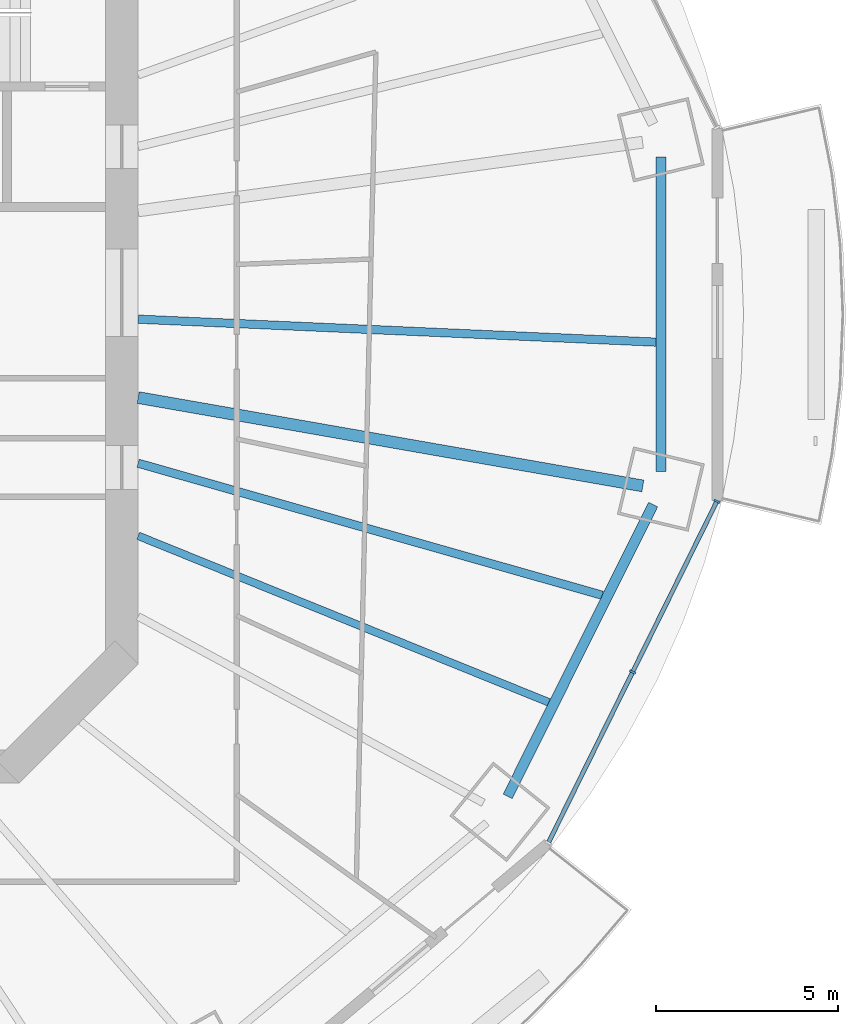
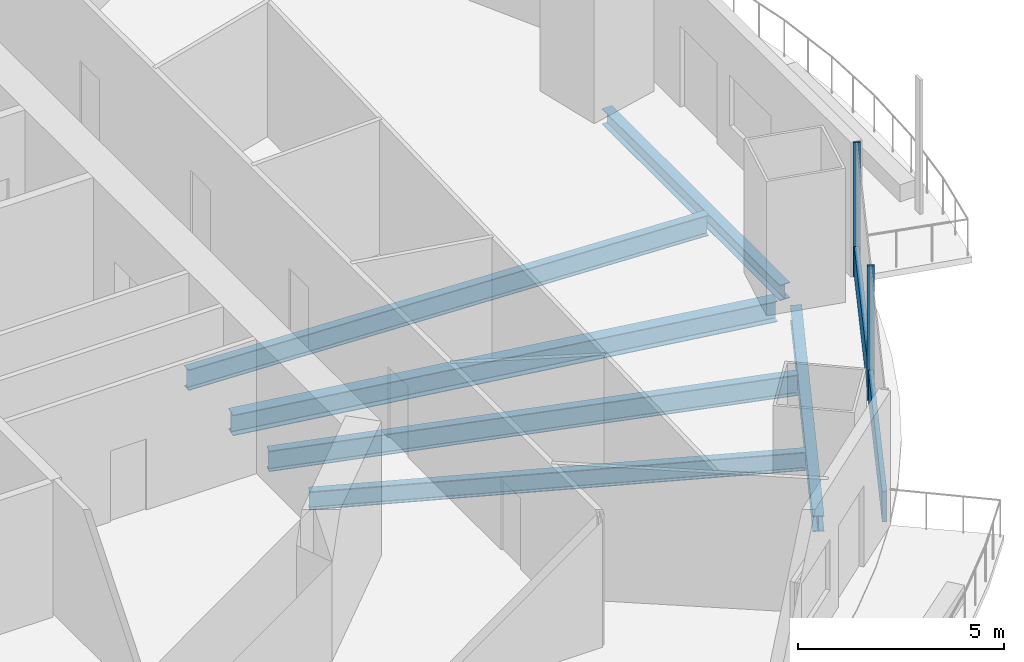
# One storey, part 5 of 20: 6 beams, 3 members, 1 element without a shape of its own.
"""IFC4 building model written with IfcOpenShell, lengths in metres."""

from ifc_helpers import new_model, si_unit, direction, frame, origin, origin_2d, place, context, subcontext, project, spatial, rectangle, i_section, extrude, material, material_profile, profile_set, type_object, element, aggregate, save


model = new_model("IFC4")

# Units and contexts
model_context = context("Model", 3, precision=1e-05, world=origin(), true_north=direction((0.0, 1.0)))
body_context = subcontext(model_context, "Body", "Model", "MODEL_VIEW")
ifc_project = project(units=[si_unit("LENGTHUNIT", "METRE"), si_unit("AREAUNIT", "SQUARE_METRE"), si_unit("VOLUMEUNIT", "CUBIC_METRE"), si_unit("PLANEANGLEUNIT", "RADIAN"), si_unit("MASSUNIT", "GRAM", prefix="KILO")], contexts=[model_context])

# Site, building, storey
site_placement = place(None, origin())
site = spatial("IfcSite", under=ifc_project, at=site_placement, CompositionType="ELEMENT")
building_placement = place(site_placement, origin())
building = spatial("IfcBuilding", under=site, at=building_placement, Name="Marenthal Gate Tower", CompositionType="ELEMENT")
storey_placement = place(building_placement, frame((0.0, 0.0, 219.14990234375)))
storey = spatial("IfcBuildingStorey", under=building, at=storey_placement, Name="L48", CompositionType="ELEMENT", Elevation=219.14990234375)

# Curtain wall, members
ifc_material_1 = material(Name="Aluminium and glass", Category="aluminium")
curtain_wall_type = type_object("IfcCurtainWallType", Name="Curtain wall typical mid", PredefinedType="NOTDEFINED", material=ifc_material_1)
curtain_wall_placement = place(storey_placement, origin())
curtain_wall = element("IfcCurtainWall", 1, at=curtain_wall_placement, inside=storey, type_object=curtain_wall_type, Name="Curtain wall L48 bay 15", PredefinedType="NOTDEFINED")
ifc_material_2 = material(Name="Aluminium", Category="aluminium")
ifc_material_profile_1 = material_profile(ifc_material_2, rectangle(XDim=0.179931640625, YDim=0.06005859375, at=origin_2d()), Name="60x180 aluminium mullion")
ifc_profile_set_1 = profile_set([ifc_material_profile_1], Name="Aluminium")
member_type_1 = type_object("IfcMemberType", Name="Mullion 60x180 typical mid", PredefinedType="MULLION", material=ifc_profile_set_1)
member_1_placement = place(storey_placement, frame((30.007568359375, -10.407470703125, 0.0), z_axis=(0.0, 0.0, 1.0), x_axis=(-0.896756924648, 0.442523466153, 0.0)))
member_1 = element("IfcMember", 2, at=member_1_placement, type_object=member_type_1, Name="Mullion L48 bay 15.2", PredefinedType="MULLION", context=body_context, shape_type="SweptSolid", body=[
    extrude(rectangle(XDim=0.179931640625, YDim=0.06005859375, at=origin_2d()), origin(), (0.0, 0.0, 1.0), 3.97021484375),
])
member_2_placement = place(storey_placement, frame((32.318603515625, -5.724609375, 0.0), z_axis=(0.0, 0.0, 1.0), x_axis=(-0.896756924648, 0.442523466153, 0.0)))
member_2 = element("IfcMember", 3, at=member_2_placement, type_object=member_type_1, Name="Mullion L48 bay 15.3", PredefinedType="MULLION", context=body_context, shape_type="SweptSolid", body=[
    extrude(rectangle(XDim=0.179931640625, YDim=0.06005859375, at=origin_2d()), origin(), (0.0, 0.0, 1.0), 3.97021484375),
])
ifc_material_3 = material(Name="Aluminium", Category="aluminium")
ifc_material_profile_2 = material_profile(ifc_material_3, rectangle(XDim=0.1201171875, YDim=0.89990234375, at=origin_2d()), Name="120x900 aluminium transom")
ifc_profile_set_2 = profile_set([ifc_material_profile_2], Name="Aluminium")
member_type_2 = type_object("IfcMemberType", Name="Transom 120x900 typical mid", PredefinedType="USERDEFINED", material=ifc_profile_set_2)
member_3_placement = place(storey_placement, frame((27.710205078125, -15.063232421875, 0.4501953125), z_axis=(0.44251449594, 0.896761351131, 0.0), x_axis=(-0.896761351131, 0.44251449594, 0.0)))
member_3 = element("IfcMember", 4, at=member_3_placement, type_object=member_type_2, Name="Transom L48 bay 15", ObjectType="TRANSOM", PredefinedType="USERDEFINED", context=body_context, shape_type="SweptSolid", body=[
    extrude(rectangle(XDim=0.1201171875, YDim=0.89990234375, at=origin_2d()), origin(), (0.0, 0.0, 1.0), 10.3837890625),
])
aggregate(curtain_wall, [member_1, member_2, member_3])

# Beams
ifc_material_4 = material(Name="Steel S355", Category="steel")
ifc_material_profile_3 = material_profile(ifc_material_4, i_section(OverallWidth=0.279052734375, OverallDepth=0.4619140625, WebThickness=0.0107421875, FlangeThickness=0.017333984375, FilletRadius=0.010009765625, at=origin_2d()), Name="W460X113")
ifc_profile_set_3 = profile_set([ifc_material_profile_3], Name="Steel S355")
beam_type_1 = type_object("IfcBeamType", Name="W460X113 beam", PredefinedType="BEAM", material=ifc_profile_set_3)
beam_1_placement = place(storey_placement, frame((26.580810546875, -13.81640625, -0.410888671875), z_axis=(0.44619754622, 0.894934494668, 0.0), x_axis=(-0.894934494668, 0.44619754622, 0.0)))
element("IfcBeam", 5, at=beam_1_placement, inside=storey, type_object=beam_type_1, Name="BM-L48-55", PredefinedType="BEAM", context=body_context, shape_type="SweptSolid", body=[
    extrude(i_section(OverallWidth=0.279052734375, OverallDepth=0.4619140625, WebThickness=0.0107421875, FlangeThickness=0.017333984375, FilletRadius=0.010009765625, at=origin_2d()), origin(), (0.0, 0.0, 1.0), 8.941162109375),
])
beam_2_placement = place(storey_placement, frame((30.7822265625, -4.91259765625, -0.410888671875), z_axis=(0.0, 1.0, 0.0), x_axis=(-1.0, 0.0, 0.0)))
element("IfcBeam", 6, at=beam_2_placement, inside=storey, type_object=beam_type_1, Name="BM-L48-56", PredefinedType="BEAM", context=body_context, shape_type="SweptSolid", body=[
    extrude(i_section(OverallWidth=0.279052734375, OverallDepth=0.4619140625, WebThickness=0.0107421875, FlangeThickness=0.017333984375, FilletRadius=0.010009765625, at=origin_2d()), origin(), (0.0, 0.0, 1.0), 8.625244140625),
])
ifc_material_5 = material(Name="Steel S355", Category="steel")
ifc_material_profile_4 = material_profile(ifc_material_5, i_section(OverallWidth=0.2119140625, OverallDepth=0.5439453125, WebThickness=0.01318359375, FlangeThickness=0.021240234375, FilletRadius=0.0126953125, at=origin_2d()), Name="W530X123")
ifc_profile_set_4 = profile_set([ifc_material_profile_4], Name="Steel S355")
beam_type_2 = type_object("IfcBeamType", Name="W530X123 beam", PredefinedType="BEAM", material=ifc_profile_set_4)
beam_3_placement = place(storey_placement, frame((27.7109375, -11.23681640625, -0.451904296875), z_axis=(-0.926706556643, 0.375785787218, 0.0), x_axis=(-0.375785787218, -0.926706556643, 0.0)))
element("IfcBeam", 7, at=beam_3_placement, inside=storey, type_object=beam_type_2, Name="BM-L48-38", PredefinedType="BEAM", context=body_context, shape_type="SweptSolid", body=[
    extrude(i_section(OverallWidth=0.2119140625, OverallDepth=0.5439453125, WebThickness=0.01318359375, FlangeThickness=0.021240234375, FilletRadius=0.0126953125, at=origin_2d()), origin(), (0.0, 0.0, 1.0), 12.151611328125),
])
ifc_material_6 = material(Name="Steel S355", Category="steel")
ifc_material_profile_5 = material_profile(ifc_material_6, i_section(OverallWidth=0.22900390625, OverallDepth=0.612060546875, WebThickness=0.011962890625, FlangeThickness=0.01953125, FilletRadius=0.0126953125, at=origin_2d()), Name="W610X125")
ifc_profile_set_5 = profile_set([ifc_material_profile_5], Name="Steel S355")
beam_type_3 = type_object("IfcBeamType", Name="W610X125 beam", PredefinedType="BEAM", material=ifc_profile_set_5)
beam_4_placement = place(storey_placement, frame((29.1748046875, -8.300537109375, -0.48583984375), z_axis=(-0.961829058202, 0.273650987204, 0.0), x_axis=(-0.273650987204, -0.961829058202, 0.0)))
element("IfcBeam", 8, at=beam_4_placement, inside=storey, type_object=beam_type_3, Name="BM-L48-39", PredefinedType="BEAM", context=body_context, shape_type="SweptSolid", body=[
    extrude(i_section(OverallWidth=0.22900390625, OverallDepth=0.612060546875, WebThickness=0.011962890625, FlangeThickness=0.01953125, FilletRadius=0.0126953125, at=origin_2d()), origin(), (0.0, 0.0, 1.0), 13.229736328125),
])
beam_5_placement = place(storey_placement, frame((30.642578125, -1.360107421875, -0.48583984375), z_axis=(-0.999016616403, 0.044337344887, 0.0), x_axis=(-0.044337344887, -0.999016616403, 0.0)))
element("IfcBeam", 9, at=beam_5_placement, inside=storey, type_object=beam_type_3, Name="BM-L48-40", PredefinedType="BEAM", context=body_context, shape_type="SweptSolid", body=[
    extrude(i_section(OverallWidth=0.22900390625, OverallDepth=0.612060546875, WebThickness=0.011962890625, FlangeThickness=0.01953125, FilletRadius=0.0126953125, at=origin_2d()), origin(), (0.0, 0.0, 1.0), 14.20654296875),
])
ifc_material_7 = material(Name="Steel S355", Category="steel")
ifc_material_profile_6 = material_profile(ifc_material_7, i_section(OverallWidth=0.324951171875, OverallDepth=0.612060546875, WebThickness=0.0126953125, FlangeThickness=0.01904296875, FilletRadius=0.0126953125, at=origin_2d()), Name="W610X155")
ifc_profile_set_6 = profile_set([ifc_material_profile_6], Name="Steel S355")
beam_type_4 = type_object("IfcBeamType", Name="W610X155 beam", PredefinedType="BEAM", material=ifc_profile_set_6)
beam_6_placement = place(storey_placement, frame((30.287841796875, -5.302978515625, -0.48583984375), z_axis=(-0.985015709177, 0.172464641811, 0.0), x_axis=(-0.172464641811, -0.985015709177, 0.0)))
element("IfcBeam", 10, at=beam_6_placement, inside=storey, type_object=beam_type_4, Name="BM-L48-16", PredefinedType="BEAM", context=body_context, shape_type="SweptSolid", body=[
    extrude(i_section(OverallWidth=0.324951171875, OverallDepth=0.612060546875, WebThickness=0.0126953125, FlangeThickness=0.01904296875, FilletRadius=0.0126953125, at=origin_2d()), origin(), (0.0, 0.0, 1.0), 14.04833984375),
])

save(model, "model.ifc")
